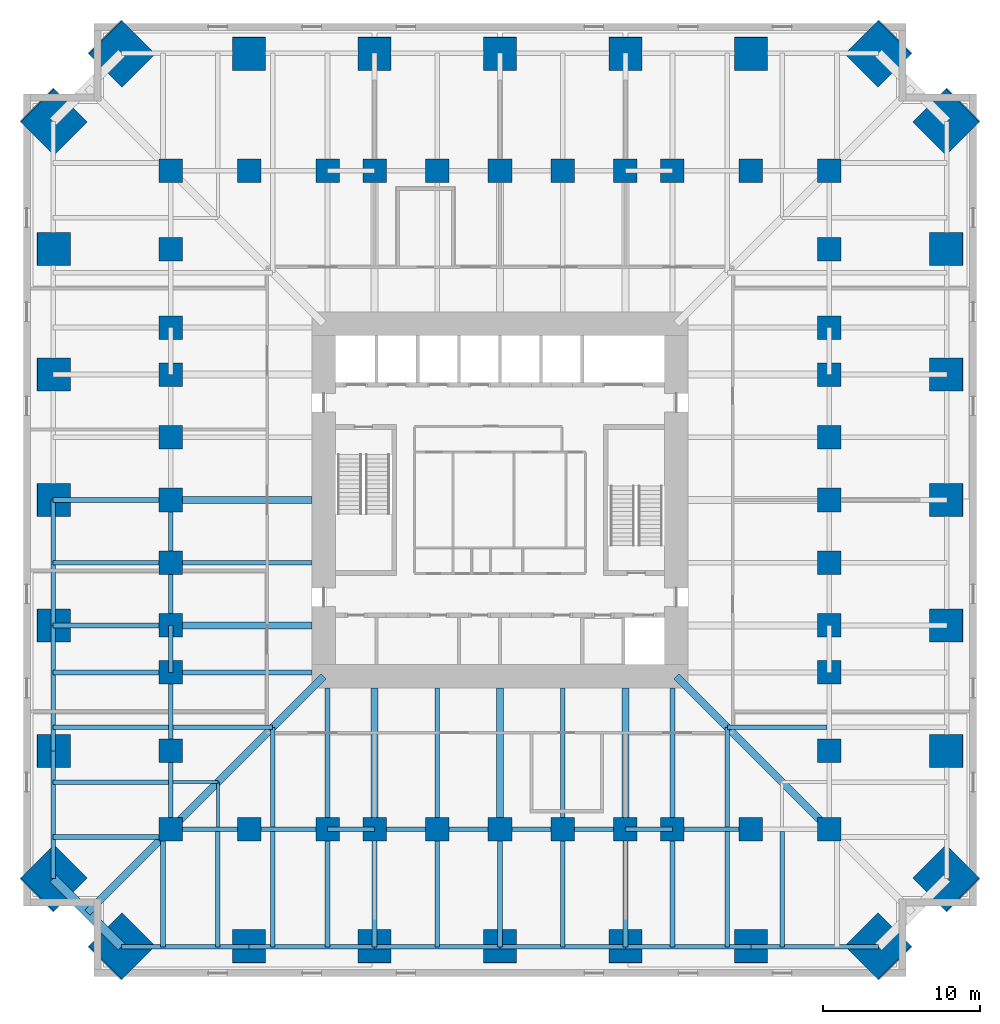
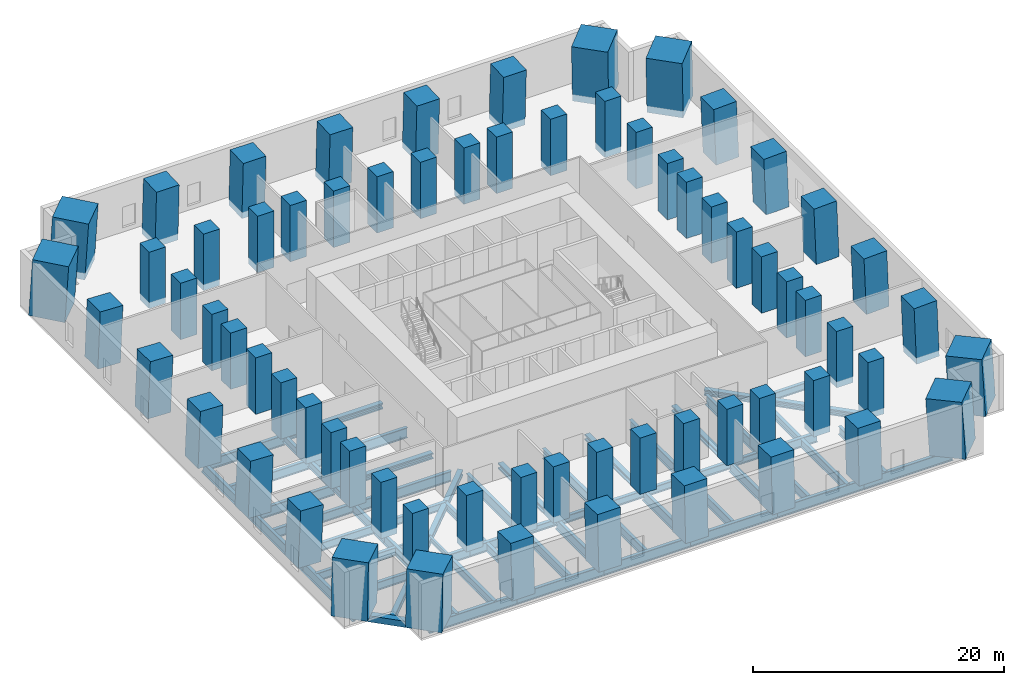
# One storey, part 1 of 8: 68 columns, 63 beams.
"""IFC4 building model written with IfcOpenShell, lengths in metres."""

from ifc_helpers import new_model, si_unit, direction, frame, origin, origin_2d, place, context, subcontext, project, spatial, rectangle, hollow_rectangle, i_section, extrude, material, material_profile, profile_set, type_object, element, save


model = new_model("IFC4")

# Units and contexts
model_context = context("Model", 3, precision=1e-05, world=origin(), true_north=direction((0.0, 1.0)))
body_context = subcontext(model_context, "Body", "Model", "MODEL_VIEW")
ifc_project = project(units=[si_unit("LENGTHUNIT", "METRE"), si_unit("AREAUNIT", "SQUARE_METRE"), si_unit("VOLUMEUNIT", "CUBIC_METRE"), si_unit("PLANEANGLEUNIT", "RADIAN"), si_unit("MASSUNIT", "GRAM", prefix="KILO")], contexts=[model_context])

# Site, building, storey
site_placement = place(None, origin())
site = spatial("IfcSite", under=ifc_project, at=site_placement, CompositionType="ELEMENT")
building_placement = place(site_placement, origin())
building = spatial("IfcBuilding", under=site, at=building_placement, Name="Peilmerk Tower", CompositionType="ELEMENT")
storey_placement = place(building_placement, frame((0.0, 0.0, 59.5)))
storey = spatial("IfcBuildingStorey", under=building, at=storey_placement, Name="L11", CompositionType="ELEMENT", Elevation=59.5)

# Columns
ifc_material_1 = material(Name="Concrete C90/105", Category="concrete")
ifc_material_profile_1 = material_profile(ifc_material_1, rectangle(XDim=3.0, YDim=3.0, at=origin_2d()), Name="RC 3000x3000")
ifc_profile_set_1 = profile_set([ifc_material_profile_1], Name="Concrete C90/105")
column_type_1 = type_object("IfcColumnType", Name="MC1 3000x3000 encased mega column", PredefinedType="COLUMN", material=ifc_profile_set_1)
for number, where, z_axis, x_axis, name in (
    (1, (24.1474609375, 28.49755859375, 0.0), (-0.040240079721, -0.040240079721, 0.998379422849), (0.707106781187, -0.707106781187, 0.0), "Mega column MC1 NE_N L11"),
    (2, (28.49755859375, 24.1474609375, 0.0), (-0.040240079721, -0.040240079721, 0.998379422849), (0.707106781187, -0.707106781187, 0.0), "Mega column MC1 NE_E L11"),
    (3, (28.49755859375, -24.1474609375, 0.0), (-0.040240079721, 0.040240079721, 0.998379422849), (-0.707106781187, -0.707106781187, 0.0), "Mega column MC1 SE_E L11"),
    (4, (24.1474609375, -28.49755859375, 0.0), (-0.040240079721, 0.040240079721, 0.998379422849), (-0.707106781187, -0.707106781187, 0.0), "Mega column MC1 SE_S L11"),
    (5, (-24.1474609375, -28.49755859375, 0.0), (0.040240079721, 0.040240079721, 0.998379422849), (-0.707106781187, 0.707106781187, 0.0), "Mega column MC1 SW_S L11"),
    (6, (-28.49755859375, -24.1474609375, 0.0), (0.040240079721, 0.040240079721, 0.998379422849), (-0.707106781187, 0.707106781187, 0.0), "Mega column MC1 SW_W L11"),
    (7, (-28.49755859375, 24.1474609375, 0.0), (0.040240079721, -0.040240079721, 0.998379422849), (0.707106781187, 0.707106781187, 0.0), "Mega column MC1 NW_W L11"),
    (8, (-24.1474609375, 28.49755859375, 0.0), (0.040240079721, -0.040240079721, 0.998379422849), (0.707106781187, 0.707106781187, 0.0), "Mega column MC1 NW_N L11"),
):
    element("IfcColumn", number, at=place(storey_placement, frame(where, z_axis=z_axis, x_axis=x_axis)), inside=storey, type_object=column_type_1, Name=name, PredefinedType="COLUMN", context=body_context, shape_type="SweptSolid", body=[
        extrude(rectangle(XDim=3.0, YDim=3.0, at=origin_2d()), origin(), (0.0, 0.0, 1.0), 5.509033203125),
    ])
ifc_material_profile_2 = material_profile(ifc_material_1, rectangle(XDim=2.10009765625, YDim=2.10009765625, at=origin_2d()), Name="RC 2100x2100")
ifc_profile_set_2 = profile_set([ifc_material_profile_2], Name="Concrete C90/105")
column_type_2 = type_object("IfcColumnType", Name="SC3 2100x2100 encased perimeter column", PredefinedType="COLUMN", material=ifc_profile_set_2)
for number, where, z_axis, x_axis, name in (
    (9, (0.0, 28.49755859375, 0.0), (0.0, -0.040272698997, 0.999188725775), (1.0, 0.0, 0.0), "Perimeter column N+0 L11"),
    (10, (8.0, 28.49755859375, 0.0), (0.0, -0.040272698997, 0.999188725775), (1.0, 0.0, 0.0), "Perimeter column N-8 L11"),
    (11, (-8.0, 28.49755859375, 0.0), (0.0, -0.040272698997, 0.999188725775), (1.0, 0.0, 0.0), "Perimeter column N+8 L11"),
    (12, (16.0, 28.49755859375, 0.0), (0.0, -0.040272698997, 0.999188725775), (1.0, 0.0, 0.0), "Perimeter column N-16 L11"),
    (13, (-16.0, 28.49755859375, 0.0), (0.0, -0.040272698997, 0.999188725775), (1.0, 0.0, 0.0), "Perimeter column N+16 L11"),
    (14, (28.49755859375, 0.0, 0.0), (-0.040272698997, 0.0, 0.999188725775), (0.0, -1.0, 0.0), "Perimeter column E+0 L11"),
    (15, (28.49755859375, -8.0, 0.0), (-0.040272698997, 0.0, 0.999188725775), (0.0, -1.0, 0.0), "Perimeter column E-8 L11"),
    (16, (28.49755859375, 8.0, 0.0), (-0.040272698997, 0.0, 0.999188725775), (0.0, -1.0, 0.0), "Perimeter column E+8 L11"),
    (17, (28.49755859375, -16.0, 0.0), (-0.040272698997, 0.0, 0.999188725775), (0.0, -1.0, 0.0), "Perimeter column E-16 L11"),
    (18, (28.49755859375, 16.0, 0.0), (-0.040272698997, 0.0, 0.999188725775), (0.0, -1.0, 0.0), "Perimeter column E+16 L11"),
    (19, (0.0, -28.49755859375, 0.0), (0.0, 0.040272698997, 0.999188725775), (-1.0, 0.0, 0.0), "Perimeter column S+0 L11"),
    (20, (-8.0, -28.49755859375, 0.0), (0.0, 0.040272698997, 0.999188725775), (-1.0, 0.0, 0.0), "Perimeter column S-8 L11"),
    (21, (8.0, -28.49755859375, 0.0), (0.0, 0.040272698997, 0.999188725775), (-1.0, 0.0, 0.0), "Perimeter column S+8 L11"),
    (22, (-16.0, -28.49755859375, 0.0), (0.0, 0.040272698997, 0.999188725775), (-1.0, 0.0, 0.0), "Perimeter column S-16 L11"),
    (23, (16.0, -28.49755859375, 0.0), (0.0, 0.040272698997, 0.999188725775), (-1.0, 0.0, 0.0), "Perimeter column S+16 L11"),
    (24, (-28.49755859375, 0.0, 0.0), (0.040272698997, 0.0, 0.999188725775), (0.0, 1.0, 0.0), "Perimeter column W+0 L11"),
    (25, (-28.49755859375, 8.0, 0.0), (0.040272698997, 0.0, 0.999188725775), (0.0, 1.0, 0.0), "Perimeter column W-8 L11"),
    (26, (-28.49755859375, -8.0, 0.0), (0.040272698997, 0.0, 0.999188725775), (0.0, 1.0, 0.0), "Perimeter column W+8 L11"),
    (27, (-28.49755859375, 16.0, 0.0), (0.040272698997, 0.0, 0.999188725775), (0.0, 1.0, 0.0), "Perimeter column W-16 L11"),
    (28, (-28.49755859375, -16.0, 0.0), (0.040272698997, 0.0, 0.999188725775), (0.0, 1.0, 0.0), "Perimeter column W+16 L11"),
):
    element("IfcColumn", number, at=place(storey_placement, frame(where, z_axis=z_axis, x_axis=x_axis)), inside=storey, type_object=column_type_2, Name=name, PredefinedType="COLUMN", context=body_context, shape_type="SweptSolid", body=[
        extrude(rectangle(XDim=2.10009765625, YDim=2.10009765625, at=origin_2d()), origin(), (0.0, 0.0, 1.0), 5.50439453125),
    ])
ifc_material_profile_3 = material_profile(ifc_material_1, rectangle(XDim=1.5, YDim=1.5, at=origin_2d()), Name="RC 1500x1500")
ifc_profile_set_3 = profile_set([ifc_material_profile_3], Name="Concrete C90/105")
column_type_3 = type_object("IfcColumnType", Name="SC4 1500x1500 encased interior column", PredefinedType="COLUMN", material=ifc_profile_set_3)
for number, where, z_axis, x_axis, name in (
    (29, (0.0, 21.0, 0.0), (0.0, 0.0, 1.0), (1.0, 0.0, 0.0), "Interior column N+0 L11"),
    (30, (4.0, 21.0, 0.0), (0.0, 0.0, 1.0), (1.0, 0.0, 0.0), "Interior column N-4 L11"),
    (31, (-4.0, 21.0, 0.0), (0.0, 0.0, 1.0), (1.0, 0.0, 0.0), "Interior column N+4 L11"),
    (32, (8.0, 21.0, 0.0), (0.0, 0.0, 1.0), (1.0, 0.0, 0.0), "Interior column N-8 L11"),
    (33, (-8.0, 21.0, 0.0), (0.0, 0.0, 1.0), (1.0, 0.0, 0.0), "Interior column N+8 L11"),
    (34, (11.0, 21.0, 0.0), (0.0, 0.0, 1.0), (1.0, 0.0, 0.0), "Interior column N-11 L11"),
    (35, (-11.0, 21.0, 0.0), (0.0, 0.0, 1.0), (1.0, 0.0, 0.0), "Interior column N+11 L11"),
    (36, (16.0, 21.0, 0.0), (0.0, 0.0, 1.0), (1.0, 0.0, 0.0), "Interior column N-16 L11"),
    (37, (-16.0, 21.0, 0.0), (0.0, 0.0, 1.0), (1.0, 0.0, 0.0), "Interior column N+16 L11"),
    (38, (21.0, 0.0, 0.0), (0.0, 0.0, 1.0), (1.0, 0.0, 0.0), "Interior column E+0 L11"),
    (39, (21.0, -4.0, 0.0), (0.0, 0.0, 1.0), (1.0, 0.0, 0.0), "Interior column E-4 L11"),
    (40, (21.0, 4.0, 0.0), (0.0, 0.0, 1.0), (1.0, 0.0, 0.0), "Interior column E+4 L11"),
    (41, (21.0, -8.0, 0.0), (0.0, 0.0, 1.0), (1.0, 0.0, 0.0), "Interior column E-8 L11"),
    (42, (21.0, 8.0, 0.0), (0.0, 0.0, 1.0), (1.0, 0.0, 0.0), "Interior column E+8 L11"),
    (43, (21.0, -11.0, 0.0), (0.0, 0.0, 1.0), (1.0, 0.0, 0.0), "Interior column E-11 L11"),
    (44, (21.0, 11.0, 0.0), (0.0, 0.0, 1.0), (1.0, 0.0, 0.0), "Interior column E+11 L11"),
    (45, (21.0, -16.0, 0.0), (0.0, 0.0, 1.0), (1.0, 0.0, 0.0), "Interior column E-16 L11"),
    (46, (21.0, 16.0, 0.0), (0.0, 0.0, 1.0), (1.0, 0.0, 0.0), "Interior column E+16 L11"),
    (47, (0.0, -21.0, 0.0), (0.0, 0.0, 1.0), (1.0, 0.0, 0.0), "Interior column S+0 L11"),
    (48, (-4.0, -21.0, 0.0), (0.0, 0.0, 1.0), (1.0, 0.0, 0.0), "Interior column S-4 L11"),
    (49, (4.0, -21.0, 0.0), (0.0, 0.0, 1.0), (1.0, 0.0, 0.0), "Interior column S+4 L11"),
    (50, (-8.0, -21.0, 0.0), (0.0, 0.0, 1.0), (1.0, 0.0, 0.0), "Interior column S-8 L11"),
    (51, (8.0, -21.0, 0.0), (0.0, 0.0, 1.0), (1.0, 0.0, 0.0), "Interior column S+8 L11"),
    (52, (-11.0, -21.0, 0.0), (0.0, 0.0, 1.0), (1.0, 0.0, 0.0), "Interior column S-11 L11"),
    (53, (11.0, -21.0, 0.0), (0.0, 0.0, 1.0), (1.0, 0.0, 0.0), "Interior column S+11 L11"),
    (54, (-16.0, -21.0, 0.0), (0.0, 0.0, 1.0), (1.0, 0.0, 0.0), "Interior column S-16 L11"),
    (55, (16.0, -21.0, 0.0), (0.0, 0.0, 1.0), (1.0, 0.0, 0.0), "Interior column S+16 L11"),
    (56, (-21.0, 0.0, 0.0), (0.0, 0.0, 1.0), (1.0, 0.0, 0.0), "Interior column W+0 L11"),
    (57, (-21.0, 4.0, 0.0), (0.0, 0.0, 1.0), (1.0, 0.0, 0.0), "Interior column W-4 L11"),
    (58, (-21.0, -4.0, 0.0), (0.0, 0.0, 1.0), (1.0, 0.0, 0.0), "Interior column W+4 L11"),
    (59, (-21.0, 8.0, 0.0), (0.0, 0.0, 1.0), (1.0, 0.0, 0.0), "Interior column W-8 L11"),
    (60, (-21.0, -8.0, 0.0), (0.0, 0.0, 1.0), (1.0, 0.0, 0.0), "Interior column W+8 L11"),
    (61, (-21.0, 11.0, 0.0), (0.0, 0.0, 1.0), (1.0, 0.0, 0.0), "Interior column W-11 L11"),
    (62, (-21.0, -11.0, 0.0), (0.0, 0.0, 1.0), (1.0, 0.0, 0.0), "Interior column W+11 L11"),
    (63, (-21.0, 16.0, 0.0), (0.0, 0.0, 1.0), (1.0, 0.0, 0.0), "Interior column W-16 L11"),
    (64, (-21.0, -16.0, 0.0), (0.0, 0.0, 1.0), (1.0, 0.0, 0.0), "Interior column W+16 L11"),
    (65, (21.0, 21.0, 0.0), (0.0, 0.0, 1.0), (1.0, 0.0, 0.0), "Interior column NE L11"),
    (66, (21.0, -21.0, 0.0), (0.0, 0.0, 1.0), (1.0, 0.0, 0.0), "Interior column SE L11"),
    (67, (-21.0, -21.0, 0.0), (0.0, 0.0, 1.0), (1.0, 0.0, 0.0), "Interior column SW L11"),
    (68, (-21.0, 21.0, 0.0), (0.0, 0.0, 1.0), (1.0, 0.0, 0.0), "Interior column NW L11"),
):
    element("IfcColumn", number, at=place(storey_placement, frame(where, z_axis=z_axis, x_axis=x_axis)), inside=storey, type_object=column_type_3, Name=name, PredefinedType="COLUMN", context=body_context, shape_type="SweptSolid", body=[
        extrude(rectangle(XDim=1.5, YDim=1.5, at=origin_2d()), origin(), (0.0, 0.0, 1.0), 5.5),
    ])

# Beams
ifc_material_2 = material(Name="Steel S355", Category="steel")
ifc_material_profile_4 = material_profile(ifc_material_2, i_section(OverallWidth=0.300048828125, OverallDepth=1.0, WebThickness=0.01904296875, FlangeThickness=0.035888671875, at=origin_2d()), Name="HEB 1000")
ifc_profile_set_4 = profile_set([ifc_material_profile_4], Name="Steel S355")
beam_type_1 = type_object("IfcBeamType", Name="B13 HEB 1000 edge beam", PredefinedType="SPANDREL", material=ifc_profile_set_4)
beam_1_placement = place(storey_placement, frame((-24.1474609375, -28.49755859375, -0.699951171875), z_axis=(1.0, 0.0, 0.0), x_axis=(0.0, 1.0, 0.0)))
element("IfcBeam", 69, at=beam_1_placement, inside=storey, type_object=beam_type_1, Name="Edge beam L11", PredefinedType="SPANDREL", context=body_context, shape_type="SweptSolid", body=[
    extrude(i_section(OverallWidth=0.300048828125, OverallDepth=1.0, WebThickness=0.01904296875, FlangeThickness=0.035888671875, at=origin_2d()), origin(), (0.0, 0.0, 1.0), 8.1474609375),
])
for number, where, z_axis, x_axis, name in (
    (70, (-16.0, -28.49755859375, -0.699951171875), (1.0, 0.0, 0.0), (0.0, 1.0, 0.0), "Edge beam L11"),
    (71, (-8.0, -28.49755859375, -0.699951171875), (1.0, 0.0, 0.0), (0.0, 1.0, 0.0), "Edge beam L11"),
    (72, (0.0, -28.49755859375, -0.699951171875), (1.0, 0.0, 0.0), (0.0, 1.0, 0.0), "Edge beam L11"),
    (73, (8.0, -28.49755859375, -0.699951171875), (1.0, 0.0, 0.0), (0.0, 1.0, 0.0), "Edge beam L11"),
):
    element("IfcBeam", number, at=place(storey_placement, frame(where, z_axis=z_axis, x_axis=x_axis)), inside=storey, type_object=beam_type_1, Name=name, PredefinedType="SPANDREL", context=body_context, shape_type="SweptSolid", body=[
        extrude(i_section(OverallWidth=0.300048828125, OverallDepth=1.0, WebThickness=0.01904296875, FlangeThickness=0.035888671875, at=origin_2d()), origin(), (0.0, 0.0, 1.0), 8.0),
    ])
beam_2_placement = place(storey_placement, frame((16.0, -28.49755859375, -0.699951171875), z_axis=(1.0, 0.0, 0.0), x_axis=(0.0, 1.0, 0.0)))
element("IfcBeam", 74, at=beam_2_placement, inside=storey, type_object=beam_type_1, Name="Edge beam L11", PredefinedType="SPANDREL", context=body_context, shape_type="SweptSolid", body=[
    extrude(i_section(OverallWidth=0.300048828125, OverallDepth=1.0, WebThickness=0.01904296875, FlangeThickness=0.035888671875, at=origin_2d()), origin(), (0.0, 0.0, 1.0), 8.1474609375),
])
for number, where, z_axis, x_axis, name in (
    (75, (-28.49755859375, 0.0, -0.699951171875), (0.0, -1.0, 0.0), (1.0, 0.0, 0.0), "Edge beam L11"),
    (76, (-28.49755859375, -8.0, -0.699951171875), (0.0, -1.0, 0.0), (1.0, 0.0, 0.0), "Edge beam L11"),
):
    element("IfcBeam", number, at=place(storey_placement, frame(where, z_axis=z_axis, x_axis=x_axis)), inside=storey, type_object=beam_type_1, Name=name, PredefinedType="SPANDREL", context=body_context, shape_type="SweptSolid", body=[
        extrude(i_section(OverallWidth=0.300048828125, OverallDepth=1.0, WebThickness=0.01904296875, FlangeThickness=0.035888671875, at=origin_2d()), origin(), (0.0, 0.0, 1.0), 8.0),
    ])
beam_3_placement = place(storey_placement, frame((-28.49755859375, -16.0, -0.699951171875), z_axis=(0.0, -1.0, 0.0), x_axis=(1.0, 0.0, 0.0)))
element("IfcBeam", 77, at=beam_3_placement, inside=storey, type_object=beam_type_1, Name="Edge beam L11", PredefinedType="SPANDREL", context=body_context, shape_type="SweptSolid", body=[
    extrude(i_section(OverallWidth=0.300048828125, OverallDepth=1.0, WebThickness=0.01904296875, FlangeThickness=0.035888671875, at=origin_2d()), origin(), (0.0, 0.0, 1.0), 8.1474609375),
])
ifc_material_profile_5 = material_profile(ifc_material_2, i_section(OverallWidth=0.300048828125, OverallDepth=0.68994140625, WebThickness=0.014404296875, FlangeThickness=0.027099609375, at=origin_2d()), Name="HEA 700")
ifc_profile_set_5 = profile_set([ifc_material_profile_5], Name="Steel S355")
beam_type_2 = type_object("IfcBeamType", Name="B16 HEA 700 floor beam", PredefinedType="BEAM", material=ifc_profile_set_5)
for number, where, z_axis, x_axis, name in (
    (78, (14.5, -14.5, -0.544921875), (0.0, -1.0, 0.0), (1.0, 0.0, 0.0), "Floor beam L11"),
    (79, (14.5, -14.5, -0.544921875), (1.0, 0.0, 0.0), (0.0, 1.0, 0.0), "Floor beam L11"),
    (80, (-14.5, -14.5, -0.544921875), (0.0, -1.0, 0.0), (1.0, 0.0, 0.0), "Floor beam L11"),
    (81, (-14.5, -14.5, -0.544921875), (-1.0, 0.0, 0.0), (0.0, -1.0, 0.0), "Floor beam L11"),
):
    element("IfcBeam", number, at=place(storey_placement, frame(where, z_axis=z_axis, x_axis=x_axis)), inside=storey, type_object=beam_type_2, Name=name, PredefinedType="BEAM", context=body_context, shape_type="SweptSolid", body=[
        extrude(i_section(OverallWidth=0.300048828125, OverallDepth=0.68994140625, WebThickness=0.014404296875, FlangeThickness=0.027099609375, at=origin_2d()), origin(), (0.0, 0.0, 1.0), 6.34912109375),
    ])
ifc_material_profile_6 = material_profile(ifc_material_2, i_section(OverallWidth=0.302001953125, OverallDepth=0.909912109375, WebThickness=0.02099609375, FlangeThickness=0.0400390625, at=origin_2d()), Name="HEM 900")
ifc_profile_set_6 = profile_set([ifc_material_profile_6], Name="Steel S355")
beam_type_3 = type_object("IfcBeamType", Name="B18 HEM 900 ring girder", PredefinedType="BEAM", material=ifc_profile_set_6)
for number, where, z_axis, x_axis, name in (
    (82, (-21.0, -21.0, -0.655029296875), (1.0, 0.0, 0.0), (0.0, 1.0, 0.0), "Ring girder L11"),
    (83, (-16.0, -21.0, -0.655029296875), (1.0, 0.0, 0.0), (0.0, 1.0, 0.0), "Ring girder L11"),
    (84, (11.0, -21.0, -0.655029296875), (1.0, 0.0, 0.0), (0.0, 1.0, 0.0), "Ring girder L11"),
    (85, (-21.0, -11.0, -0.655029296875), (0.0, -1.0, 0.0), (1.0, 0.0, 0.0), "Ring girder L11"),
    (86, (-21.0, -16.0, -0.655029296875), (0.0, -1.0, 0.0), (1.0, 0.0, 0.0), "Ring girder L11"),
):
    element("IfcBeam", number, at=place(storey_placement, frame(where, z_axis=z_axis, x_axis=x_axis)), inside=storey, type_object=beam_type_3, Name=name, PredefinedType="BEAM", context=body_context, shape_type="SweptSolid", body=[
        extrude(i_section(OverallWidth=0.302001953125, OverallDepth=0.909912109375, WebThickness=0.02099609375, FlangeThickness=0.0400390625, at=origin_2d()), origin(), (0.0, 0.0, 1.0), 5.0),
    ])
ifc_material_profile_7 = material_profile(ifc_material_2, i_section(OverallWidth=0.303955078125, OverallDepth=0.716064453125, WebThickness=0.02099609375, FlangeThickness=0.0400390625, at=origin_2d()), Name="HEM 700")
ifc_profile_set_7 = profile_set([ifc_material_profile_7], Name="Steel S355")
beam_type_4 = type_object("IfcBeamType", Name="B19 HEM 700 ring girder", PredefinedType="BEAM", material=ifc_profile_set_7)
for number, where, z_axis, x_axis, name in (
    (87, (-8.0, -21.0, -0.55810546875), (1.0, 0.0, 0.0), (0.0, 1.0, 0.0), "Ring girder L11"),
    (88, (-4.0, -21.0, -0.55810546875), (1.0, 0.0, 0.0), (0.0, 1.0, 0.0), "Ring girder L11"),
    (89, (0.0, -21.0, -0.55810546875), (1.0, 0.0, 0.0), (0.0, 1.0, 0.0), "Ring girder L11"),
    (90, (4.0, -21.0, -0.55810546875), (1.0, 0.0, 0.0), (0.0, 1.0, 0.0), "Ring girder L11"),
    (91, (-21.0, 0.0, -0.55810546875), (0.0, -1.0, 0.0), (1.0, 0.0, 0.0), "Ring girder L11"),
    (92, (-21.0, -4.0, -0.55810546875), (0.0, -1.0, 0.0), (1.0, 0.0, 0.0), "Ring girder L11"),
):
    element("IfcBeam", number, at=place(storey_placement, frame(where, z_axis=z_axis, x_axis=x_axis)), inside=storey, type_object=beam_type_4, Name=name, PredefinedType="BEAM", context=body_context, shape_type="SweptSolid", body=[
        extrude(i_section(OverallWidth=0.303955078125, OverallDepth=0.716064453125, WebThickness=0.02099609375, FlangeThickness=0.0400390625, at=origin_2d()), origin(), (0.0, 0.0, 1.0), 4.0),
    ])
ifc_material_3 = material(Name="Steel S460", Category="steel")
ifc_material_profile_8 = material_profile(ifc_material_3, hollow_rectangle(XDim=0.60009765625, YDim=0.60009765625, WallThickness=0.06005859375, at=origin_2d()), Name="BOX 600x600x60")
ifc_profile_set_8 = profile_set([ifc_material_profile_8], Name="Steel S460")
beam_type_5 = type_object("IfcBeamType", Name="B20 BOX 600x600x60 notch beam", PredefinedType="SPANDREL", material=ifc_profile_set_8)
beam_4_placement = place(storey_placement, frame((-24.1474609375, -28.49755859375, -0.5), z_axis=(-0.707106781187, 0.707106781187, 0.0), x_axis=(-0.707106781187, -0.707106781187, 0.0)))
element("IfcBeam", 93, at=beam_4_placement, inside=storey, type_object=beam_type_5, Name="Notch beam L11", PredefinedType="SPANDREL", context=body_context, shape_type="SweptSolid", body=[
    extrude(hollow_rectangle(XDim=0.60009765625, YDim=0.60009765625, WallThickness=0.06005859375, at=origin_2d()), origin(), (0.0, 0.0, 1.0), 6.15185546875),
])
ifc_material_profile_9 = material_profile(ifc_material_2, i_section(OverallWidth=0.18994140625, OverallDepth=0.449951171875, WebThickness=0.009521484375, FlangeThickness=0.0146484375, at=origin_2d()), Name="IPE 450")
ifc_profile_set_9 = profile_set([ifc_material_profile_9], Name="Steel S355")
beam_type_6 = type_object("IfcBeamType", Name="B21 IPE 450 floor beam", PredefinedType="BEAM", material=ifc_profile_set_9)
for number, where, z_axis, x_axis, name in (
    (94, (-18.0, -18.0, -0.425048828125), (0.0, -1.0, 0.0), (1.0, 0.0, 0.0), "Floor beam L11"),
    (95, (-18.0, -18.0, -0.425048828125), (-1.0, 0.0, 0.0), (0.0, -1.0, 0.0), "Floor beam L11"),
):
    element("IfcBeam", number, at=place(storey_placement, frame(where, z_axis=z_axis, x_axis=x_axis)), inside=storey, type_object=beam_type_6, Name=name, PredefinedType="BEAM", context=body_context, shape_type="SweptSolid", body=[
        extrude(i_section(OverallWidth=0.18994140625, OverallDepth=0.449951171875, WebThickness=0.009521484375, FlangeThickness=0.0146484375, at=origin_2d()), origin(), (0.0, 0.0, 1.0), 2.84912109375),
    ])
ifc_material_profile_10 = material_profile(ifc_material_2, i_section(OverallWidth=0.300048828125, OverallDepth=0.7900390625, WebThickness=0.014892578125, FlangeThickness=0.028076171875, at=origin_2d()), Name="HEA 800")
ifc_profile_set_10 = profile_set([ifc_material_profile_10], Name="Steel S355")
beam_type_7 = type_object("IfcBeamType", Name="B3 HEA 800 floor beam", PredefinedType="BEAM", material=ifc_profile_set_10)
for number, where, z_axis, x_axis, name in (
    (96, (14.5, -21.15087890625, -0.594970703125), (0.0, -1.0, 0.0), (1.0, 0.0, 0.0), "Floor beam L11"),
    (97, (18.0, -21.15087890625, -0.594970703125), (0.0, -1.0, 0.0), (1.0, 0.0, 0.0), "Floor beam L11"),
    (98, (-14.5, -21.15087890625, -0.594970703125), (0.0, -1.0, 0.0), (1.0, 0.0, 0.0), "Floor beam L11"),
    (99, (-21.15087890625, -14.5, -0.594970703125), (-1.0, 0.0, 0.0), (0.0, -1.0, 0.0), "Floor beam L11"),
    (100, (-18.0, -21.15087890625, -0.594970703125), (0.0, -1.0, 0.0), (1.0, 0.0, 0.0), "Floor beam L11"),
    (101, (-21.15087890625, -18.0, -0.594970703125), (-1.0, 0.0, 0.0), (0.0, -1.0, 0.0), "Floor beam L11"),
):
    element("IfcBeam", number, at=place(storey_placement, frame(where, z_axis=z_axis, x_axis=x_axis)), inside=storey, type_object=beam_type_7, Name=name, PredefinedType="BEAM", context=body_context, shape_type="SweptSolid", body=[
        extrude(i_section(OverallWidth=0.300048828125, OverallDepth=0.7900390625, WebThickness=0.014892578125, FlangeThickness=0.028076171875, at=origin_2d()), origin(), (0.0, 0.0, 1.0), 7.3466796875),
    ])
for number, where, z_axis, x_axis, name in (
    (102, (-21.5, -21.5, -0.594970703125), (0.0, -1.0, 0.0), (1.0, 0.0, 0.0), "Floor beam L11"),
    (103, (-21.5, -21.5, -0.594970703125), (-1.0, 0.0, 0.0), (0.0, -1.0, 0.0), "Floor beam L11"),
):
    element("IfcBeam", number, at=place(storey_placement, frame(where, z_axis=z_axis, x_axis=x_axis)), inside=storey, type_object=beam_type_7, Name=name, PredefinedType="BEAM", context=body_context, shape_type="SweptSolid", body=[
        extrude(i_section(OverallWidth=0.300048828125, OverallDepth=0.7900390625, WebThickness=0.014892578125, FlangeThickness=0.028076171875, at=origin_2d()), origin(), (0.0, 0.0, 1.0), 6.99755859375),
    ])
ifc_material_profile_11 = material_profile(ifc_material_2, i_section(OverallWidth=0.300048828125, OverallDepth=0.889892578125, WebThickness=0.01611328125, FlangeThickness=0.030029296875, at=origin_2d()), Name="HEA 900")
ifc_profile_set_11 = profile_set([ifc_material_profile_11], Name="Steel S355")
beam_type_8 = type_object("IfcBeamType", Name="B4 HEA 900 floor beam", PredefinedType="BEAM", material=ifc_profile_set_11)
for number, where, z_axis, x_axis, name in (
    (104, (-11.0, -21.0, -0.64501953125), (0.0, -1.0, 0.0), (1.0, 0.0, 0.0), "Floor beam L11"),
    (105, (-4.0, -21.0, -0.64501953125), (0.0, -1.0, 0.0), (1.0, 0.0, 0.0), "Floor beam L11"),
    (106, (4.0, -21.0, -0.64501953125), (0.0, -1.0, 0.0), (1.0, 0.0, 0.0), "Floor beam L11"),
    (107, (11.0, -21.0, -0.64501953125), (0.0, -1.0, 0.0), (1.0, 0.0, 0.0), "Floor beam L11"),
    (108, (-21.0, -4.0, -0.64501953125), (-1.0, 0.0, 0.0), (0.0, -1.0, 0.0), "Floor beam L11"),
    (109, (-21.0, -11.0, -0.64501953125), (-1.0, 0.0, 0.0), (0.0, -1.0, 0.0), "Floor beam L11"),
):
    element("IfcBeam", number, at=place(storey_placement, frame(where, z_axis=z_axis, x_axis=x_axis)), inside=storey, type_object=beam_type_8, Name=name, PredefinedType="BEAM", context=body_context, shape_type="SweptSolid", body=[
        extrude(i_section(OverallWidth=0.300048828125, OverallDepth=0.889892578125, WebThickness=0.01611328125, FlangeThickness=0.030029296875, at=origin_2d()), origin(), (0.0, 0.0, 1.0), 7.49755859375),
    ])
ifc_material_profile_12 = material_profile(ifc_material_2, i_section(OverallWidth=0.300048828125, OverallDepth=1.0, WebThickness=0.01904296875, FlangeThickness=0.035888671875, at=origin_2d()), Name="HEB 1000")
ifc_profile_set_12 = profile_set([ifc_material_profile_12], Name="Steel S355")
beam_type_9 = type_object("IfcBeamType", Name="B5 HEB 1000 floor girder", PredefinedType="BEAM", material=ifc_profile_set_12)
beam_5_placement = place(storey_placement, frame((-11.0, -12.0, -0.699951171875), z_axis=(0.0, -1.0, 0.0), x_axis=(1.0, 0.0, 0.0)))
element("IfcBeam", 110, at=beam_5_placement, inside=storey, type_object=beam_type_9, Name="Floor beam L11", PredefinedType="BEAM", context=body_context, shape_type="SweptSolid", body=[
    extrude(i_section(OverallWidth=0.300048828125, OverallDepth=1.0, WebThickness=0.01904296875, FlangeThickness=0.035888671875, at=origin_2d()), origin(), (0.0, 0.0, 1.0), 9.0),
])
beam_6_placement = place(storey_placement, frame((-8.0, -21.0, -0.699951171875), z_axis=(0.0, -1.0, 0.0), x_axis=(1.0, 0.0, 0.0)))
element("IfcBeam", 111, at=beam_6_placement, inside=storey, type_object=beam_type_9, Name="Floor girder L11", PredefinedType="BEAM", context=body_context, shape_type="SweptSolid", body=[
    extrude(i_section(OverallWidth=0.300048828125, OverallDepth=1.0, WebThickness=0.01904296875, FlangeThickness=0.035888671875, at=origin_2d()), origin(), (0.0, 0.0, 1.0), 7.49755859375),
])
beam_7_placement = place(storey_placement, frame((-4.0, -12.0, -0.699951171875), z_axis=(0.0, -1.0, 0.0), x_axis=(1.0, 0.0, 0.0)))
element("IfcBeam", 112, at=beam_7_placement, inside=storey, type_object=beam_type_9, Name="Floor beam L11", PredefinedType="BEAM", context=body_context, shape_type="SweptSolid", body=[
    extrude(i_section(OverallWidth=0.300048828125, OverallDepth=1.0, WebThickness=0.01904296875, FlangeThickness=0.035888671875, at=origin_2d()), origin(), (0.0, 0.0, 1.0), 9.0),
])
beam_8_placement = place(storey_placement, frame((0.0, -21.0, -0.699951171875), z_axis=(0.0, -1.0, 0.0), x_axis=(1.0, 0.0, 0.0)))
element("IfcBeam", 113, at=beam_8_placement, inside=storey, type_object=beam_type_9, Name="Floor girder L11", PredefinedType="BEAM", context=body_context, shape_type="SweptSolid", body=[
    extrude(i_section(OverallWidth=0.300048828125, OverallDepth=1.0, WebThickness=0.01904296875, FlangeThickness=0.035888671875, at=origin_2d()), origin(), (0.0, 0.0, 1.0), 7.49755859375),
])
beam_9_placement = place(storey_placement, frame((4.0, -12.0, -0.699951171875), z_axis=(0.0, -1.0, 0.0), x_axis=(1.0, 0.0, 0.0)))
element("IfcBeam", 114, at=beam_9_placement, inside=storey, type_object=beam_type_9, Name="Floor beam L11", PredefinedType="BEAM", context=body_context, shape_type="SweptSolid", body=[
    extrude(i_section(OverallWidth=0.300048828125, OverallDepth=1.0, WebThickness=0.01904296875, FlangeThickness=0.035888671875, at=origin_2d()), origin(), (0.0, 0.0, 1.0), 9.0),
])
beam_10_placement = place(storey_placement, frame((8.0, -21.0, -0.699951171875), z_axis=(0.0, -1.0, 0.0), x_axis=(1.0, 0.0, 0.0)))
element("IfcBeam", 115, at=beam_10_placement, inside=storey, type_object=beam_type_9, Name="Floor girder L11", PredefinedType="BEAM", context=body_context, shape_type="SweptSolid", body=[
    extrude(i_section(OverallWidth=0.300048828125, OverallDepth=1.0, WebThickness=0.01904296875, FlangeThickness=0.035888671875, at=origin_2d()), origin(), (0.0, 0.0, 1.0), 7.49755859375),
])
beam_11_placement = place(storey_placement, frame((11.0, -12.0, -0.699951171875), z_axis=(0.0, -1.0, 0.0), x_axis=(1.0, 0.0, 0.0)))
element("IfcBeam", 116, at=beam_11_placement, inside=storey, type_object=beam_type_9, Name="Floor beam L11", PredefinedType="BEAM", context=body_context, shape_type="SweptSolid", body=[
    extrude(i_section(OverallWidth=0.300048828125, OverallDepth=1.0, WebThickness=0.01904296875, FlangeThickness=0.035888671875, at=origin_2d()), origin(), (0.0, 0.0, 1.0), 9.0),
])
beam_12_placement = place(storey_placement, frame((-21.0, 0.0, -0.699951171875), z_axis=(-1.0, 0.0, 0.0), x_axis=(0.0, -1.0, 0.0)))
element("IfcBeam", 117, at=beam_12_placement, inside=storey, type_object=beam_type_9, Name="Floor girder L11", PredefinedType="BEAM", context=body_context, shape_type="SweptSolid", body=[
    extrude(i_section(OverallWidth=0.300048828125, OverallDepth=1.0, WebThickness=0.01904296875, FlangeThickness=0.035888671875, at=origin_2d()), origin(), (0.0, 0.0, 1.0), 7.49755859375),
])
beam_13_placement = place(storey_placement, frame((-12.0, -4.0, -0.699951171875), z_axis=(-1.0, 0.0, 0.0), x_axis=(0.0, -1.0, 0.0)))
element("IfcBeam", 118, at=beam_13_placement, inside=storey, type_object=beam_type_9, Name="Floor beam L11", PredefinedType="BEAM", context=body_context, shape_type="SweptSolid", body=[
    extrude(i_section(OverallWidth=0.300048828125, OverallDepth=1.0, WebThickness=0.01904296875, FlangeThickness=0.035888671875, at=origin_2d()), origin(), (0.0, 0.0, 1.0), 9.0),
])
beam_14_placement = place(storey_placement, frame((-21.0, -8.0, -0.699951171875), z_axis=(-1.0, 0.0, 0.0), x_axis=(0.0, -1.0, 0.0)))
element("IfcBeam", 119, at=beam_14_placement, inside=storey, type_object=beam_type_9, Name="Floor girder L11", PredefinedType="BEAM", context=body_context, shape_type="SweptSolid", body=[
    extrude(i_section(OverallWidth=0.300048828125, OverallDepth=1.0, WebThickness=0.01904296875, FlangeThickness=0.035888671875, at=origin_2d()), origin(), (0.0, 0.0, 1.0), 7.49755859375),
])
beam_15_placement = place(storey_placement, frame((-12.0, -11.0, -0.699951171875), z_axis=(-1.0, 0.0, 0.0), x_axis=(0.0, -1.0, 0.0)))
element("IfcBeam", 120, at=beam_15_placement, inside=storey, type_object=beam_type_9, Name="Floor beam L11", PredefinedType="BEAM", context=body_context, shape_type="SweptSolid", body=[
    extrude(i_section(OverallWidth=0.300048828125, OverallDepth=1.0, WebThickness=0.01904296875, FlangeThickness=0.035888671875, at=origin_2d()), origin(), (0.0, 0.0, 1.0), 9.0),
])
ifc_material_profile_13 = material_profile(ifc_material_2, i_section(OverallWidth=0.304931640625, OverallDepth=0.6201171875, WebThickness=0.02099609375, FlangeThickness=0.0400390625, at=origin_2d()), Name="HEM 600")
ifc_profile_set_13 = profile_set([ifc_material_profile_13], Name="Steel S355")
beam_type_10 = type_object("IfcBeamType", Name="B6 HEM 600 ring girder", PredefinedType="BEAM", material=ifc_profile_set_13)
for number, where, z_axis, x_axis, name in (
    (121, (-11.0, -21.0, -0.510009765625), (1.0, 0.0, 0.0), (0.0, 1.0, 0.0), "Ring girder L11"),
    (122, (8.0, -21.0, -0.510009765625), (1.0, 0.0, 0.0), (0.0, 1.0, 0.0), "Ring girder L11"),
    (123, (-21.0, -8.0, -0.510009765625), (0.0, -1.0, 0.0), (1.0, 0.0, 0.0), "Ring girder L11"),
):
    element("IfcBeam", number, at=place(storey_placement, frame(where, z_axis=z_axis, x_axis=x_axis)), inside=storey, type_object=beam_type_10, Name=name, PredefinedType="BEAM", context=body_context, shape_type="SweptSolid", body=[
        extrude(i_section(OverallWidth=0.304931640625, OverallDepth=0.6201171875, WebThickness=0.02099609375, FlangeThickness=0.0400390625, at=origin_2d()), origin(), (0.0, 0.0, 1.0), 3.0),
    ])
ifc_material_profile_14 = material_profile(ifc_material_3, i_section(OverallWidth=0.4541015625, OverallDepth=0.569091796875, WebThickness=0.077880859375, FlangeThickness=0.125, at=origin_2d()), Name="HD 400x1086")
ifc_profile_set_14 = profile_set([ifc_material_profile_14], Name="Steel S460")
beam_type_11 = type_object("IfcBeamType", Name="B9 HD 400x1086 corner girder", PredefinedType="BEAM", material=ifc_profile_set_14)
for number, where, z_axis, x_axis, name in (
    (124, (-8.0, -12.0, -0.484619140625), (0.0, -1.0, 0.0), (1.0, 0.0, 0.0), "Floor girder L11"),
    (125, (0.0, -12.0, -0.484619140625), (0.0, -1.0, 0.0), (1.0, 0.0, 0.0), "Floor girder L11"),
    (126, (8.0, -12.0, -0.484619140625), (0.0, -1.0, 0.0), (1.0, 0.0, 0.0), "Floor girder L11"),
    (127, (-12.0, 0.0, -0.484619140625), (-1.0, 0.0, 0.0), (0.0, -1.0, 0.0), "Floor girder L11"),
    (128, (-12.0, -8.0, -0.484619140625), (-1.0, 0.0, 0.0), (0.0, -1.0, 0.0), "Floor girder L11"),
):
    element("IfcBeam", number, at=place(storey_placement, frame(where, z_axis=z_axis, x_axis=x_axis)), inside=storey, type_object=beam_type_11, Name=name, PredefinedType="BEAM", context=body_context, shape_type="SweptSolid", body=[
        extrude(i_section(OverallWidth=0.4541015625, OverallDepth=0.569091796875, WebThickness=0.077880859375, FlangeThickness=0.125, at=origin_2d()), origin(), (0.0, 0.0, 1.0), 9.0),
    ])
for number, where, z_axis, x_axis, name in (
    (129, (11.25, -11.25, -0.484619140625), (0.707106781187, -0.707106781187, 0.0), (0.707106781187, 0.707106781187, 0.0), "Corner girder L11"),
    (130, (-11.25, -11.25, -0.484619140625), (-0.707106781187, -0.707106781187, 0.0), (0.707106781187, -0.707106781187, 0.0), "Corner girder L11"),
):
    element("IfcBeam", number, at=place(storey_placement, frame(where, z_axis=z_axis, x_axis=x_axis)), inside=storey, type_object=beam_type_11, Name=name, PredefinedType="BEAM", context=body_context, shape_type="SweptSolid", body=[
        extrude(i_section(OverallWidth=0.4541015625, OverallDepth=0.569091796875, WebThickness=0.077880859375, FlangeThickness=0.125, at=origin_2d()), origin(), (0.0, 0.0, 1.0), 13.78857421875),
    ])
beam_16_placement = place(storey_placement, frame((-21.0, -21.0, -0.484619140625), z_axis=(-0.707106781187, -0.707106781187, 0.0), x_axis=(0.707106781187, -0.707106781187, 0.0)))
element("IfcBeam", 131, at=beam_16_placement, inside=storey, type_object=beam_type_11, Name="Corner girder L11", PredefinedType="BEAM", context=body_context, shape_type="SweptSolid", body=[
    extrude(i_section(OverallWidth=0.4541015625, OverallDepth=0.569091796875, WebThickness=0.077880859375, FlangeThickness=0.125, at=origin_2d()), origin(), (0.0, 0.0, 1.0), 7.527099609375),
])

save(model, "model.ifc")
